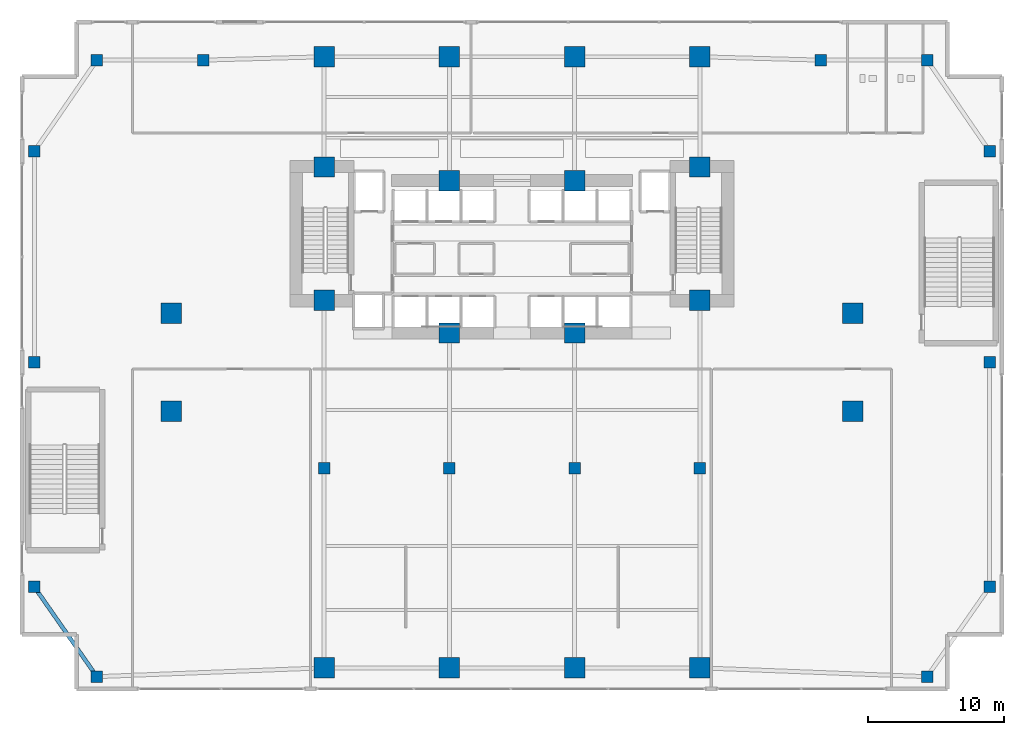
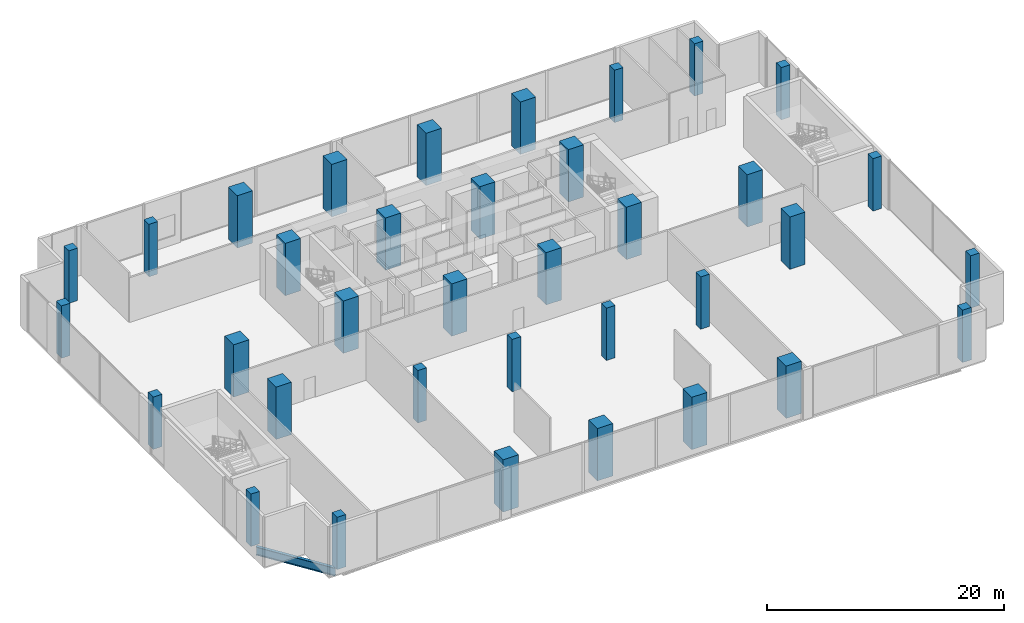
# One storey, part 1 of 30: 36 columns, 1 beam.
"""IFC4 building model written with IfcOpenShell, lengths in metres."""

from ifc_helpers import new_model, si_unit, direction, frame, origin, origin_2d, place, context, subcontext, project, spatial, rectangle, i_section, extrude, material, material_profile, profile_set, type_object, element, save


model = new_model("IFC4")

# Units and contexts
model_context = context("Model", 3, precision=1e-05, world=origin(), true_north=direction((0.0, 1.0)))
body_context = subcontext(model_context, "Body", "Model", "MODEL_VIEW")
ifc_project = project(units=[si_unit("LENGTHUNIT", "METRE"), si_unit("AREAUNIT", "SQUARE_METRE"), si_unit("VOLUMEUNIT", "CUBIC_METRE"), si_unit("PLANEANGLEUNIT", "RADIAN"), si_unit("MASSUNIT", "GRAM", prefix="KILO")], contexts=[model_context])

# Site, building, storey
site_placement = place(None, origin())
site = spatial("IfcSite", under=ifc_project, at=site_placement, CompositionType="ELEMENT")
building_placement = place(site_placement, origin())
building = spatial("IfcBuilding", under=site, at=building_placement, Name="Zuhayl Quay Hotel", CompositionType="ELEMENT")
storey_placement = place(building_placement, frame((0.0, 0.0, 6.0)))
storey = spatial("IfcBuildingStorey", under=building, at=storey_placement, Name="L01", CompositionType="ELEMENT", Elevation=6.0)

# Columns
ifc_material_1 = material(Name="Concrete C70/85", Category="concrete")
ifc_material_profile_1 = material_profile(ifc_material_1, rectangle(XDim=1.5, YDim=1.5, at=origin_2d()), Name="RC1500X1500")
ifc_profile_set_1 = profile_set([ifc_material_profile_1], Name="Concrete C70/85")
column_type_1 = type_object("IfcColumnType", Name="CL_CC1_1500", PredefinedType="COLUMN", material=ifc_profile_set_1)
for number, where, z_axis, x_axis, name in (
    (1, (-13.800048828125, 14.35009765625, 0.0), (0.0, 0.0, 1.0), (1.0, 0.0, 0.0), "L01 Core Column CC_NW"),
    (2, (-4.60009765625, 13.35009765625, 0.0), (0.0, 0.0, 1.0), (1.0, 0.0, 0.0), "L01 Core Column CC_CNW"),
    (3, (4.60009765625, 13.35009765625, 0.0), (0.0, 0.0, 1.0), (1.0, 0.0, 0.0), "L01 Core Column CC_CNE"),
    (4, (13.800048828125, 14.35009765625, 0.0), (0.0, 0.0, 1.0), (1.0, 0.0, 0.0), "L01 Core Column CC_NE"),
    (5, (-13.800048828125, 4.550048828125, 0.0), (0.0, 0.0, 1.0), (1.0, 0.0, 0.0), "L01 Core Column CC_SW"),
    (6, (-4.60009765625, 2.14990234375, 0.0), (0.0, 0.0, 1.0), (1.0, 0.0, 0.0), "L01 Core Column CC_CSW"),
    (7, (4.60009765625, 2.14990234375, 0.0), (0.0, 0.0, 1.0), (1.0, 0.0, 0.0), "L01 Core Column CC_CSE"),
    (8, (13.800048828125, 4.550048828125, 0.0), (0.0, 0.0, 1.0), (1.0, 0.0, 0.0), "L01 Core Column CC_SE"),
):
    element("IfcColumn", number, at=place(storey_placement, frame(where, z_axis=z_axis, x_axis=x_axis)), inside=storey, type_object=column_type_1, Name=name, PredefinedType="COLUMN", context=body_context, shape_type="SweptSolid", body=[
        extrude(rectangle(XDim=1.5, YDim=1.5, at=origin_2d()), origin(), (0.0, 0.0, 1.0), 5.39990234375),
    ])
ifc_material_profile_2 = material_profile(ifc_material_1, rectangle(XDim=1.5, YDim=1.5, at=origin_2d()), Name="RC1500X1500")
ifc_profile_set_2 = profile_set([ifc_material_profile_2], Name="Concrete C70/85")
column_type_2 = type_object("IfcColumnType", Name="CL_MC1_1500", PredefinedType="COLUMN", material=ifc_profile_set_2)
for number, where, z_axis, x_axis, name in (
    (9, (-13.800048828125, -22.449951171875, 0.0), (0.0, 0.0, 1.0), (1.0, 0.0, 0.0), "L01 Mega-Column MC_S1"),
    (10, (-4.60009765625, -22.449951171875, 0.0), (0.0, 0.0, 1.0), (1.0, 0.0, 0.0), "L01 Mega-Column MC_S2"),
    (11, (4.60009765625, -22.449951171875, 0.0), (0.0, 0.0, 1.0), (1.0, 0.0, 0.0), "L01 Mega-Column MC_S3"),
    (12, (13.800048828125, -22.449951171875, 0.0), (0.0, 0.0, 1.0), (1.0, 0.0, 0.0), "L01 Mega-Column MC_S4"),
    (13, (-13.800048828125, 22.449951171875, 0.0), (0.0, 0.0, 1.0), (1.0, 0.0, 0.0), "L01 Mega-Column MC_N1"),
    (14, (-4.60009765625, 22.449951171875, 0.0), (0.0, 0.0, 1.0), (1.0, 0.0, 0.0), "L01 Mega-Column MC_N2"),
    (15, (4.60009765625, 22.449951171875, 0.0), (0.0, 0.0, 1.0), (1.0, 0.0, 0.0), "L01 Mega-Column MC_N3"),
    (16, (13.800048828125, 22.449951171875, 0.0), (0.0, 0.0, 1.0), (1.0, 0.0, 0.0), "L01 Mega-Column MC_N4"),
    (17, (-25.050048828125, -3.60009765625, 0.0), (0.0, 0.0, 1.0), (1.0, 0.0, 0.0), "L01 Mega-Column MC_W1"),
    (18, (-25.050048828125, 3.60009765625, 0.0), (0.0, 0.0, 1.0), (1.0, 0.0, 0.0), "L01 Mega-Column MC_W2"),
    (19, (25.050048828125, -3.60009765625, 0.0), (0.0, 0.0, 1.0), (1.0, 0.0, 0.0), "L01 Mega-Column MC_E1"),
    (20, (25.050048828125, 3.60009765625, 0.0), (0.0, 0.0, 1.0), (1.0, 0.0, 0.0), "L01 Mega-Column MC_E2"),
):
    element("IfcColumn", number, at=place(storey_placement, frame(where, z_axis=z_axis, x_axis=x_axis)), inside=storey, type_object=column_type_2, Name=name, PredefinedType="COLUMN", context=body_context, shape_type="SweptSolid", body=[
        extrude(rectangle(XDim=1.5, YDim=1.5, at=origin_2d()), origin(), (0.0, 0.0, 1.0), 5.39990234375),
    ])
ifc_material_2 = material(Name="Concrete C50/60", Category="concrete")
ifc_material_profile_3 = material_profile(ifc_material_2, rectangle(XDim=0.85009765625, YDim=0.85009765625, at=origin_2d()), Name="RC850X850")
ifc_profile_set_3 = profile_set([ifc_material_profile_3], Name="Concrete C50/60")
column_type_3 = type_object("IfcColumnType", Name="CL_PC1_850", PredefinedType="COLUMN", material=ifc_profile_set_3)
for number, where, z_axis, x_axis, name in (
    (21, (-30.5, -23.10009765625, 0.0), (0.0, 0.0, 1.0), (1.0, 0.0, 0.0), "L01 Podium Column PC_SW"),
    (22, (30.5, -23.10009765625, 0.0), (0.0, 0.0, 1.0), (1.0, 0.0, 0.0), "L01 Podium Column PC_SE"),
    (23, (-30.5, 22.199951171875, 0.0), (0.0, 0.0, 1.0), (1.0, 0.0, 0.0), "L01 Podium Column PC_NW"),
    (24, (30.5, 22.199951171875, 0.0), (0.0, 0.0, 1.0), (1.0, 0.0, 0.0), "L01 Podium Column PC_NE"),
    (25, (-35.10009765625, -16.5, 0.0), (0.0, 0.0, 1.0), (1.0, 0.0, 0.0), "L01 Podium Column PC_W1"),
    (26, (-35.10009765625, 0.0, 0.0), (0.0, 0.0, 1.0), (1.0, 0.0, 0.0), "L01 Podium Column PC_W2"),
    (27, (-35.10009765625, 15.5, 0.0), (0.0, 0.0, 1.0), (1.0, 0.0, 0.0), "L01 Podium Column PC_W3"),
    (28, (35.10009765625, -16.5, 0.0), (0.0, 0.0, 1.0), (1.0, 0.0, 0.0), "L01 Podium Column PC_E1"),
    (29, (35.10009765625, 0.0, 0.0), (0.0, 0.0, 1.0), (1.0, 0.0, 0.0), "L01 Podium Column PC_E2"),
    (30, (35.10009765625, 15.5, 0.0), (0.0, 0.0, 1.0), (1.0, 0.0, 0.0), "L01 Podium Column PC_E3"),
    (31, (-22.699951171875, 22.199951171875, 0.0), (0.0, 0.0, 1.0), (1.0, 0.0, 0.0), "L01 Podium Column PC_N1"),
    (32, (22.699951171875, 22.199951171875, 0.0), (0.0, 0.0, 1.0), (1.0, 0.0, 0.0), "L01 Podium Column PC_N2"),
    (33, (-13.800048828125, -7.800048828125, 0.0), (0.0, 0.0, 1.0), (1.0, 0.0, 0.0), "L01 Podium Column BC_C1"),
    (34, (-4.60009765625, -7.800048828125, 0.0), (0.0, 0.0, 1.0), (1.0, 0.0, 0.0), "L01 Podium Column BC_C2"),
    (35, (4.60009765625, -7.800048828125, 0.0), (0.0, 0.0, 1.0), (1.0, 0.0, 0.0), "L01 Podium Column BC_C3"),
    (36, (13.800048828125, -7.800048828125, 0.0), (0.0, 0.0, 1.0), (1.0, 0.0, 0.0), "L01 Podium Column BC_C4"),
):
    element("IfcColumn", number, at=place(storey_placement, frame(where, z_axis=z_axis, x_axis=x_axis)), inside=storey, type_object=column_type_3, Name=name, PredefinedType="COLUMN", context=body_context, shape_type="SweptSolid", body=[
        extrude(rectangle(XDim=0.85009765625, YDim=0.85009765625, at=origin_2d()), origin(), (0.0, 0.0, 1.0), 5.39990234375),
    ])

# Beam
ifc_material_3 = material(Name="Steel ASTM A992 Grade 50", Category="steel")
ifc_material_profile_4 = material_profile(ifc_material_3, i_section(OverallWidth=0.2919921875, OverallDepth=0.845947265625, WebThickness=0.015380859375, FlangeThickness=0.0244140625, at=origin_2d()), Name="W33X141")
ifc_profile_set_4 = profile_set([ifc_material_profile_4], Name="Steel ASTM A992 Grade 50")
beam_type = type_object("IfcBeamType", Name="BM_PG3_W33X141", PredefinedType="BEAM", material=ifc_profile_set_4)
beam_placement = place(storey_placement, frame((-30.6943359375, -22.821044921875, -0.673095703125), z_axis=(-0.571785900762, 0.820402878889, 0.0), x_axis=(-0.820402878889, -0.571785900762, 0.0)))
element("IfcBeam", 37, at=beam_placement, inside=storey, type_object=beam_type, Name="L01 Floor Beam PG_W_L01_0", PredefinedType="BEAM", context=body_context, shape_type="SweptSolid", body=[
    extrude(i_section(OverallWidth=0.2919921875, OverallDepth=0.845947265625, WebThickness=0.015380859375, FlangeThickness=0.0244140625, at=origin_2d()), origin(), (0.0, 0.0, 1.0), 7.364990234375),
])

save(model, "model.ifc")
